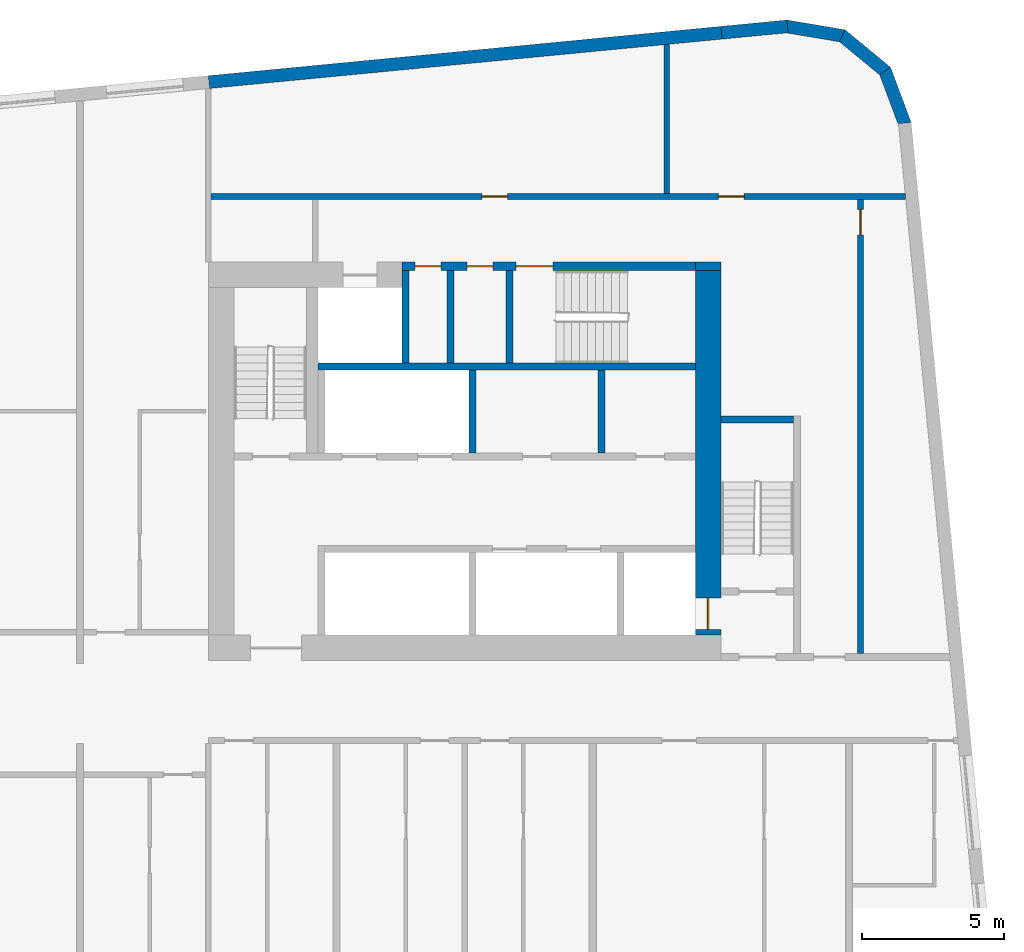
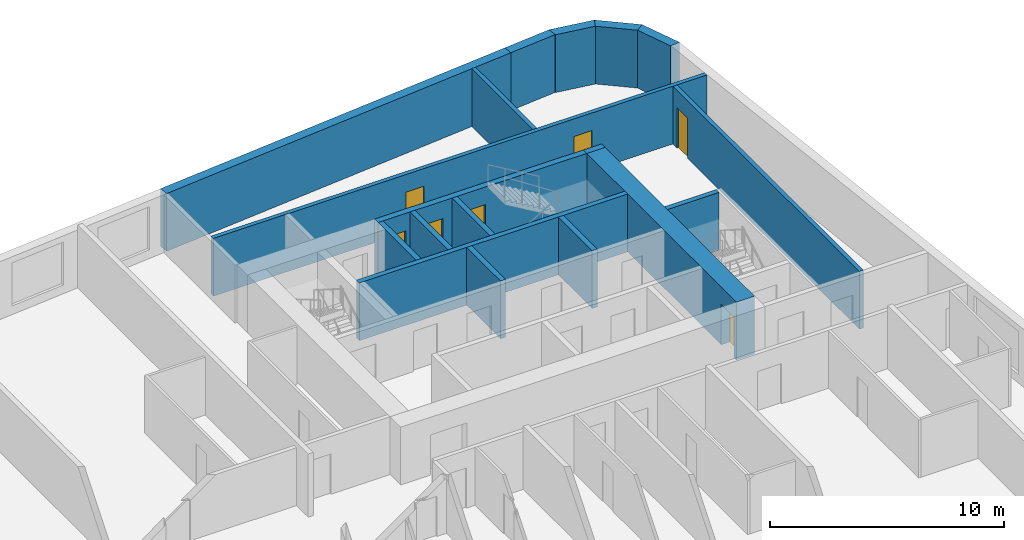
# One storey, part 8 of 12: 18 walls, 7 doors, 7 openings.
"""IFC4 building model written with IfcOpenShell, lengths in metres."""

from ifc_helpers import new_model, si_unit, direction, frame, frame_2d, origin, place, context, subcontext, project, spatial, polyline, rectangle, outline, extrude, material, layer, layer_set, type_object, element, fill, save


model = new_model("IFC4")

# Units and contexts
model_context = context("Model", 3, precision=1e-05, world=origin(), true_north=direction((0.0, 1.0)))
body_context = subcontext(model_context, "Body", "Model", "MODEL_VIEW")
ifc_project = project(units=[si_unit("LENGTHUNIT", "METRE"), si_unit("AREAUNIT", "SQUARE_METRE"), si_unit("VOLUMEUNIT", "CUBIC_METRE"), si_unit("PLANEANGLEUNIT", "RADIAN"), si_unit("MASSUNIT", "GRAM", prefix="KILO")], contexts=[model_context])

# Site, building, storey
site_placement = place(None, origin())
site = spatial("IfcSite", under=ifc_project, at=site_placement, CompositionType="ELEMENT")
building_placement = place(site_placement, origin())
building = spatial("IfcBuilding", under=site, at=building_placement, Name="Kajstack Hotel Tower", CompositionType="ELEMENT")
storey_placement = place(building_placement, frame((0.0, 0.0, 199.89990234375)))
storey = spatial("IfcBuildingStorey", under=building, at=storey_placement, Name="L48", CompositionType="ELEMENT", Elevation=199.89990234375)

# Wall
ifc_material_1 = material(Name="Concrete C60/75", Category="concrete")
ifc_layer_1 = layer(ifc_material_1, 0.89990234375)
ifc_layer_set_1 = layer_set([ifc_layer_1], Name="Core wall 900")
wall_type_1 = type_object("IfcWallType", Name="Core wall 900", PredefinedType="SHEAR", material=ifc_layer_set_1)
wall_1_placement = place(storey_placement, frame((30.60009765625, 15.35009765625, 0.0), z_axis=(0.0, 0.0, 1.0), x_axis=(1.0, 0.0, 0.0)))
element("IfcWall", 1, at=wall_1_placement, inside=storey, type_object=wall_type_1, Name="Core wall E RSW", PredefinedType="SHEAR", context=body_context, shape_type="SweptSolid", body=[
    extrude(rectangle(XDim=0.89990234375, YDim=0.300048828125, at=frame_2d((0.449951171875, 0.0))), origin(), (0.0, 0.0, 1.0), 3.02001953125),
])

# Wall, opening, door
wall_2_placement = place(storey_placement, frame((31.050048828125, 2.39990234375, 0.0), z_axis=(0.0, 0.0, 1.0), x_axis=(0.0, 1.0, 0.0)))
wall_2 = element("IfcWall", 2, at=wall_2_placement, inside=storey, type_object=wall_type_1, Name="Core wall E RW", PredefinedType="SHEAR", context=body_context, shape_type="SweptSolid", body=[
    extrude(rectangle(XDim=12.800048828125, YDim=0.89990234375, at=frame_2d((6.39990234375, 0.0))), origin(), (0.0, 0.0, 1.0), 3.02001953125),
])
opening_1_placement = place(wall_2_placement, frame((0.199951171875, 0.0, 0.0)))
opening_1 = element("IfcOpeningElement", 3, at=opening_1_placement, cuts=wall_2, Name="Opening LD-FF2", PredefinedType="OPENING", context=body_context, shape_type="SweptSolid", body=[
    extrude(rectangle(XDim=1.10009765625, YDim=2.10009765625, at=frame_2d((0.550048828125, 1.050048828125))), frame((0.0, 0.4599609375, 0.0), z_axis=(0.0, -1.0, 0.0), x_axis=(1.0, 0.0, 0.0)), (0.0, 0.0, 1.0), 0.919921875),
])
ifc_material_2 = material(Name="Stainless steel", Category="steel")
door_type_1 = type_object("IfcDoorType", Name="Fire-fighting lift landing door 1100", OperationType="SLIDING_TO_LEFT", PredefinedType="DOOR", material=ifc_material_2)
door_1_placement = place(opening_1_placement, origin())
door_1 = element("IfcDoor", 4, at=door_1_placement, inside=storey, type_object=door_type_1, Name="Landing door FF2", OperationType="SLIDING_TO_LEFT", OverallHeight=2.10009765625, OverallWidth=1.10009765625, PredefinedType="DOOR", context=body_context, shape_type="SweptSolid", body=[
    extrude(rectangle(XDim=1.10009765625, YDim=2.10009765625, at=frame_2d((0.550048828125, 1.050048828125))), frame((0.0, 0.02490234375, 0.0), z_axis=(0.0, -1.0, 0.0), x_axis=(1.0, 0.0, 0.0)), (0.0, 0.0, 1.0), 0.050048828125),
])
fill(opening_1, door_1)

# Walls
ifc_material_3 = material(Name="Concrete C40/50", Category="concrete")
ifc_layer_2 = layer(ifc_material_3, 0.449951171875)
ifc_layer_set_2 = layer_set([ifc_layer_2], Name="EW-CORE")
wall_type_2 = type_object("IfcWallType", Name="EW-CORE", PredefinedType="SOLIDWALL", material=ifc_layer_set_2)
wall_3_placement = place(storey_placement, frame((31.521484375, 23.55078125, 0.0), z_axis=(0.0, 0.0, 1.0), x_axis=(-0.995395166513, -0.095856468129, 0.0)))
element("IfcWall", 5, at=wall_3_placement, inside=storey, type_object=wall_type_2, Name="E-wall-L48-12-01", PredefinedType="SOLIDWALL", context=body_context, shape_type="SweptSolid", body=[
    extrude(rectangle(XDim=18.083251953125, YDim=0.449951171875, at=frame_2d((9.04150390625, 0.0))), origin(), (0.0, 0.0, 1.0), 3.02001953125),
])
ifc_material_4 = material(Name="Terracotta-faced brick masonry", Category="masonry")
ifc_layer_3 = layer(ifc_material_4, 0.449951171875)
ifc_layer_set_3 = layer_set([ifc_layer_3], Name="EW-TERRA")
wall_type_3 = type_object("IfcWallType", Name="EW-TERRA", PredefinedType="SOLIDWALL", material=ifc_layer_set_3)
wall_4_placement = place(storey_placement, frame((37.96875, 20.320556640625, 0.0), z_axis=(0.0, 0.0, 1.0), x_axis=(-0.350192909346, 0.936677599948, 0.0)))
element("IfcWall", 6, at=wall_4_placement, inside=storey, type_object=wall_type_3, Name="E-wall-L48-09-00", PredefinedType="SOLIDWALL", context=body_context, shape_type="SweptSolid", body=[
    extrude(outline(polyline([(0.0, -0.22509765625), (2.070556640625, -0.22509765625), (1.949951171875, 0.22509765625), (0.12060546875, 0.224853515625), (0.0, -0.22509765625)])), origin(), (0.0, 0.0, 1.0), 3.02001953125),
])
wall_5_placement = place(storey_placement, frame((37.311279296875, 22.165283203125, 0.0), z_axis=(0.0, 0.0, 1.0), x_axis=(-0.771651049663, 0.636046112757, 0.0)))
element("IfcWall", 7, at=wall_5_placement, inside=storey, type_object=wall_type_3, Name="E-wall-L48-10-00", PredefinedType="SOLIDWALL", context=body_context, shape_type="SweptSolid", body=[
    extrude(outline(polyline([(0.0, -0.224853515625), (2.0703125, -0.22509765625), (1.94970703125, 0.224853515625), (0.12060546875, 0.22509765625), (0.0, -0.224853515625)])), origin(), (0.0, 0.0, 1.0), 3.02001953125),
])
wall_6_placement = place(storey_placement, frame((35.819580078125, 23.433837890625, 0.0), z_axis=(0.0, 0.0, 1.0), x_axis=(-0.986278951104, 0.165087342366, 0.0)))
element("IfcWall", 8, at=wall_6_placement, inside=storey, type_object=wall_type_3, Name="E-wall-L48-11-00", PredefinedType="SOLIDWALL", context=body_context, shape_type="SweptSolid", body=[
    extrude(outline(polyline([(0.0, -0.22509765625), (2.070556640625, -0.224853515625), (1.949951171875, 0.22509765625), (0.12060546875, 0.224853515625), (0.0, -0.22509765625)])), origin(), (0.0, 0.0, 1.0), 3.02001953125),
])
wall_7_placement = place(storey_placement, frame((33.836181640625, 23.7734375, 0.0), z_axis=(0.0, 0.0, 1.0), x_axis=(-0.995405373555, -0.095750416695, 0.0)))
element("IfcWall", 9, at=wall_7_placement, inside=storey, type_object=wall_type_3, Name="E-wall-L48-12-00", PredefinedType="SOLIDWALL", context=body_context, shape_type="SweptSolid", body=[
    extrude(rectangle(XDim=2.325439453125, YDim=0.449951171875, at=frame_2d((1.16259765625, 0.0))), origin(), (0.0, 0.0, 1.0), 3.02001953125),
])
ifc_material_5 = material(Name="Concrete C50/60", Category="concrete")
ifc_layer_4 = layer(ifc_material_5, 0.300048828125)
ifc_layer_set_4 = layer_set([ifc_layer_4], Name="Hoistway divider wall 300")
wall_type_4 = type_object("IfcWallType", Name="Hoistway divider wall 300", PredefinedType="SHEAR", material=ifc_layer_set_4)
wall_8_placement = place(storey_placement, frame((22.77490234375, 8.800048828125, 0.0), z_axis=(0.0, 0.0, 1.0), x_axis=(0.0, 1.0, 0.0)))
element("IfcWall", 10, at=wall_8_placement, inside=storey, type_object=wall_type_4, Name="Core wall E BP2", PredefinedType="SHEAR", context=body_context, shape_type="SweptSolid", body=[
    extrude(rectangle(XDim=2.89990234375, YDim=0.25, at=frame_2d((1.449951171875, 0.0))), origin(), (0.0, 0.0, 1.0), 3.02001953125),
])
ifc_material_6 = material(Name="Concrete block masonry", Category="masonry")
ifc_layer_5 = layer(ifc_material_6, 0.25)
ifc_layer_set_5 = layer_set([ifc_layer_5], Name="Riser partition 250")
wall_type_5 = type_object("IfcWallType", Name="Riser partition 250", PredefinedType="PARTITIONING", material=ifc_layer_set_5)
wall_9_placement = place(storey_placement, frame((27.300048828125, 8.800048828125, 0.0), z_axis=(0.0, 0.0, 1.0), x_axis=(0.0, 1.0, 0.0)))
element("IfcWall", 11, at=wall_9_placement, inside=storey, type_object=wall_type_5, Name="Partition E BF0", PredefinedType="PARTITIONING", context=body_context, shape_type="SweptSolid", body=[
    extrude(rectangle(XDim=2.89990234375, YDim=0.25, at=frame_2d((1.449951171875, 0.0))), origin(), (0.0, 0.0, 1.0), 3.02001953125),
])
wall_10_placement = place(storey_placement, frame((22.0, 11.949951171875, 0.0), z_axis=(0.0, 0.0, 1.0), x_axis=(0.0, 1.0, 0.0)))
element("IfcWall", 12, at=wall_10_placement, inside=storey, type_object=wall_type_5, Name="Partition E SZ0", PredefinedType="PARTITIONING", context=body_context, shape_type="SweptSolid", body=[
    extrude(rectangle(XDim=3.25, YDim=0.25, at=frame_2d((1.625, 0.0))), origin(), (0.0, 0.0, 1.0), 3.02001953125),
])

# Wall, opening, door
ifc_material_7 = material(Name="Gypsum board on steel studs, mineral wool", Category="steel")
ifc_layer_6 = layer(ifc_material_7, 0.199951171875)
ifc_layer_set_6 = layer_set([ifc_layer_6], Name="Service partition 200")
wall_type_6 = type_object("IfcWallType", Name="Service partition 200", PredefinedType="PARTITIONING", material=ifc_layer_set_6)
wall_11_placement = place(storey_placement, frame((36.39990234375, 1.75, 0.0), z_axis=(0.0, 0.0, 1.0), x_axis=(0.0, 1.0, 0.0)))
wall_11 = element("IfcWall", 13, at=wall_11_placement, inside=storey, type_object=wall_type_6, Name="Partition E WRE", PredefinedType="PARTITIONING", context=body_context, shape_type="SweptSolid", body=[
    extrude(rectangle(XDim=15.949951171875, YDim=0.199951171875, at=frame_2d((7.97509765625, 0.0))), origin(), (0.0, 0.0, 1.0), 3.02001953125),
])
opening_2_placement = place(wall_11_placement, frame((14.699951171875, 0.0, 0.0)))
opening_2 = element("IfcOpeningElement", 14, at=opening_2_placement, cuts=wall_11, Name="Opening 48E19", PredefinedType="OPENING", context=body_context, shape_type="SweptSolid", body=[
    extrude(rectangle(XDim=0.89990234375, YDim=2.10009765625, at=frame_2d((0.449951171875, 1.050048828125))), frame((0.0, 0.10986328125, 0.0), z_axis=(0.0, -1.0, 0.0), x_axis=(1.0, 0.0, 0.0)), (0.0, 0.0, 1.0), 0.219970703125),
])
ifc_material_8 = material(Name="Timber leaf, fire-rated", Category="wood")
door_type_2 = type_object("IfcDoorType", Name="Service door 900", OperationType="SINGLE_SWING_LEFT", PredefinedType="DOOR", material=ifc_material_8)
door_2_placement = place(opening_2_placement, origin())
door_2 = element("IfcDoor", 15, at=door_2_placement, inside=storey, type_object=door_type_2, Name="Door 48E19", OperationType="SINGLE_SWING_RIGHT", OverallHeight=2.10009765625, OverallWidth=0.89990234375, PredefinedType="DOOR", context=body_context, shape_type="SweptSolid", body=[
    extrude(rectangle(XDim=0.89990234375, YDim=2.10009765625, at=frame_2d((0.449951171875, 1.050048828125))), frame((0.0, 0.02490234375, 0.0), z_axis=(0.0, -1.0, 0.0), x_axis=(1.0, 0.0, 0.0)), (0.0, 0.0, 1.0), 0.050048828125),
])
fill(opening_2, door_2)

# Wall, openings, doors
wall_12_placement = place(storey_placement, frame((13.60009765625, 17.800048828125, 0.0), z_axis=(0.0, 0.0, 1.0), x_axis=(1.0, 0.0, 0.0)))
wall_12 = element("IfcWall", 16, at=wall_12_placement, inside=storey, type_object=wall_type_6, Name="Partition E SLN", PredefinedType="PARTITIONING", context=body_context, shape_type="SweptSolid", body=[
    extrude(rectangle(XDim=24.377685546875, YDim=0.199951171875, at=frame_2d((12.18896484375, 0.0))), origin(), (0.0, 0.0, 1.0), 3.02001953125),
])
opening_3_placement = place(wall_12_placement, frame((17.8125, 0.0, 0.0)))
opening_3 = element("IfcOpeningElement", 17, at=opening_3_placement, cuts=wall_12, Name="Opening 48E17", PredefinedType="OPENING", context=body_context, shape_type="SweptSolid", body=[
    extrude(rectangle(XDim=0.89990234375, YDim=2.10009765625, at=frame_2d((0.449951171875, 1.050048828125))), frame((0.0, 0.10986328125, 0.0), z_axis=(0.0, -1.0, 0.0), x_axis=(1.0, 0.0, 0.0)), (0.0, 0.0, 1.0), 0.219970703125),
])
opening_4_placement = place(wall_12_placement, frame((9.512451171875, 0.0, 0.0)))
opening_4 = element("IfcOpeningElement", 18, at=opening_4_placement, cuts=wall_12, Name="Opening 48E18", PredefinedType="OPENING", context=body_context, shape_type="SweptSolid", body=[
    extrude(rectangle(XDim=0.89990234375, YDim=2.10009765625, at=frame_2d((0.449951171875, 1.050048828125))), frame((0.0, 0.10986328125, 0.0), z_axis=(0.0, -1.0, 0.0), x_axis=(1.0, 0.0, 0.0)), (0.0, 0.0, 1.0), 0.219970703125),
])
door_3_placement = place(opening_3_placement, origin())
door_3 = element("IfcDoor", 19, at=door_3_placement, inside=storey, type_object=door_type_2, Name="Door 48E17", OperationType="SINGLE_SWING_LEFT", OverallHeight=2.10009765625, OverallWidth=0.89990234375, PredefinedType="DOOR", context=body_context, shape_type="SweptSolid", body=[
    extrude(rectangle(XDim=0.89990234375, YDim=2.10009765625, at=frame_2d((0.449951171875, 1.050048828125))), frame((0.0, 0.02490234375, 0.0), z_axis=(0.0, -1.0, 0.0), x_axis=(1.0, 0.0, 0.0)), (0.0, 0.0, 1.0), 0.050048828125),
])
fill(opening_3, door_3)
door_4_placement = place(opening_4_placement, origin())
door_4 = element("IfcDoor", 20, at=door_4_placement, inside=storey, type_object=door_type_2, Name="Door 48E18", OperationType="SINGLE_SWING_LEFT", OverallHeight=2.10009765625, OverallWidth=0.89990234375, PredefinedType="DOOR", context=body_context, shape_type="SweptSolid", body=[
    extrude(rectangle(XDim=0.89990234375, YDim=2.10009765625, at=frame_2d((0.449951171875, 1.050048828125))), frame((0.0, 0.02490234375, 0.0), z_axis=(0.0, -1.0, 0.0), x_axis=(1.0, 0.0, 0.0)), (0.0, 0.0, 1.0), 0.050048828125),
])
fill(opening_4, door_4)

# Wall
wall_13_placement = place(storey_placement, frame((29.60009765625, 17.89990234375, 0.0), z_axis=(0.0, 0.0, 1.0), x_axis=(0.0, 1.0, 0.0)))
element("IfcWall", 21, at=wall_13_placement, inside=storey, type_object=wall_type_6, Name="Partition E SLP0", PredefinedType="PARTITIONING", context=body_context, shape_type="SweptSolid", body=[
    extrude(rectangle(XDim=5.24072265625, YDim=0.199951171875, at=frame_2d((2.620361328125, 0.0))), origin(), (0.0, 0.0, 1.0), 3.02001953125),
])

# Wall, openings, doors
ifc_layer_7 = layer(ifc_material_5, 0.25)
ifc_layer_set_7 = layer_set([ifc_layer_7], Name="Shaft wall 250")
wall_type_7 = type_object("IfcWallType", Name="Shaft wall 250", PredefinedType="SHEAR", material=ifc_layer_set_7)
wall_14_placement = place(storey_placement, frame((20.300048828125, 15.35009765625, 0.0), z_axis=(0.0, 0.0, 1.0), x_axis=(1.0, 0.0, 0.0)))
wall_14 = element("IfcWall", 22, at=wall_14_placement, inside=storey, type_object=wall_type_7, Name="Core wall E RSS", PredefinedType="SHEAR", context=body_context, shape_type="SweptSolid", body=[
    extrude(rectangle(XDim=10.300048828125, YDim=0.300048828125, at=frame_2d((5.14990234375, 0.0))), origin(), (0.0, 0.0, 1.0), 3.02001953125),
])
opening_5_placement = place(wall_14_placement, frame((4.0, 0.0, 0.0)))
opening_5 = element("IfcOpeningElement", 23, at=opening_5_placement, cuts=wall_14, Name="Opening 48E12", PredefinedType="OPENING", context=body_context, shape_type="SweptSolid", body=[
    extrude(rectangle(XDim=1.300048828125, YDim=2.10009765625, at=frame_2d((0.64990234375, 1.050048828125))), frame((0.0, 0.159912109375, 0.0), z_axis=(0.0, -1.0, 0.0), x_axis=(1.0, 0.0, 0.0)), (0.0, 0.0, 1.0), 0.320068359375),
])
opening_6_placement = place(wall_14_placement, frame((2.28759765625, 0.0, 0.0)))
opening_6 = element("IfcOpeningElement", 24, at=opening_6_placement, cuts=wall_14, Name="Opening 48E13", PredefinedType="OPENING", context=body_context, shape_type="SweptSolid", body=[
    extrude(rectangle(XDim=0.89990234375, YDim=2.10009765625, at=frame_2d((0.449951171875, 1.050048828125))), frame((0.0, 0.159912109375, 0.0), z_axis=(0.0, -1.0, 0.0), x_axis=(1.0, 0.0, 0.0)), (0.0, 0.0, 1.0), 0.320068359375),
])
opening_7_placement = place(wall_14_placement, frame((0.46240234375, 0.0, 0.0)))
opening_7 = element("IfcOpeningElement", 25, at=opening_7_placement, cuts=wall_14, Name="Opening 48E14", PredefinedType="OPENING", context=body_context, shape_type="SweptSolid", body=[
    extrude(rectangle(XDim=0.89990234375, YDim=2.10009765625, at=frame_2d((0.449951171875, 1.050048828125))), frame((0.0, 0.159912109375, 0.0), z_axis=(0.0, -1.0, 0.0), x_axis=(1.0, 0.0, 0.0)), (0.0, 0.0, 1.0), 0.320068359375),
])
door_5_placement = place(opening_6_placement, origin())
door_5 = element("IfcDoor", 26, at=door_5_placement, inside=storey, type_object=door_type_2, Name="Door 48E13", OperationType="SINGLE_SWING_RIGHT", OverallHeight=2.10009765625, OverallWidth=0.89990234375, PredefinedType="DOOR", context=body_context, shape_type="SweptSolid", body=[
    extrude(rectangle(XDim=0.89990234375, YDim=2.10009765625, at=frame_2d((0.449951171875, 1.050048828125))), frame((0.0, 0.02490234375, 0.0), z_axis=(0.0, -1.0, 0.0), x_axis=(1.0, 0.0, 0.0)), (0.0, 0.0, 1.0), 0.050048828125),
])
fill(opening_6, door_5)
door_6_placement = place(opening_7_placement, origin())
door_6 = element("IfcDoor", 27, at=door_6_placement, inside=storey, type_object=door_type_2, Name="Door 48E14", OperationType="SINGLE_SWING_RIGHT", OverallHeight=2.10009765625, OverallWidth=0.89990234375, PredefinedType="DOOR", context=body_context, shape_type="SweptSolid", body=[
    extrude(rectangle(XDim=0.89990234375, YDim=2.10009765625, at=frame_2d((0.449951171875, 1.050048828125))), frame((0.0, 0.02490234375, 0.0), z_axis=(0.0, -1.0, 0.0), x_axis=(1.0, 0.0, 0.0)), (0.0, 0.0, 1.0), 0.050048828125),
])
fill(opening_7, door_6)
ifc_material_9 = material(Name="Steel leaf, fire-rated", Category="steel")
door_type_3 = type_object("IfcDoorType", Name="Stair door 1300", OperationType="SINGLE_SWING_LEFT", PredefinedType="DOOR", material=ifc_material_9)
door_7_placement = place(opening_5_placement, origin())
door_7 = element("IfcDoor", 28, at=door_7_placement, inside=storey, type_object=door_type_3, Name="Door 48E12", OperationType="SINGLE_SWING_LEFT", OverallHeight=2.10009765625, OverallWidth=1.300048828125, PredefinedType="DOOR", context=body_context, shape_type="SweptSolid", body=[
    extrude(rectangle(XDim=1.300048828125, YDim=2.10009765625, at=frame_2d((0.64990234375, 1.050048828125))), frame((0.0, 0.02490234375, 0.0), z_axis=(0.0, -1.0, 0.0), x_axis=(1.0, 0.0, 0.0)), (0.0, 0.0, 1.0), 0.050048828125),
])
fill(opening_5, door_7)

# Walls
wall_15_placement = place(storey_placement, frame((17.35009765625, 11.824951171875, 0.0), z_axis=(0.0, 0.0, 1.0), x_axis=(1.0, 0.0, 0.0)))
element("IfcWall", 29, at=wall_15_placement, inside=storey, type_object=wall_type_7, Name="Core wall E RB", PredefinedType="SHEAR", context=body_context, shape_type="SweptSolid", body=[
    extrude(rectangle(XDim=13.25, YDim=0.25, at=frame_2d((6.625, 0.0))), origin(), (0.0, 0.0, 1.0), 3.02001953125),
])
wall_16_placement = place(storey_placement, frame((20.425048828125, 11.949951171875, 0.0), z_axis=(0.0, 0.0, 1.0), x_axis=(0.0, 1.0, 0.0)))
element("IfcWall", 30, at=wall_16_placement, inside=storey, type_object=wall_type_7, Name="Core wall E SVW", PredefinedType="SHEAR", context=body_context, shape_type="SweptSolid", body=[
    extrude(rectangle(XDim=3.25, YDim=0.25, at=frame_2d((1.625, 0.0))), origin(), (0.0, 0.0, 1.0), 3.02001953125),
])
ifc_layer_8 = layer(ifc_material_3, 0.25)
ifc_layer_set_8 = layer_set([ifc_layer_8], Name="Stair enclosure wall 250")
wall_type_8 = type_object("IfcWallType", Name="Stair enclosure wall 250", PredefinedType="SHEAR", material=ifc_layer_set_8)
wall_17_placement = place(storey_placement, frame((31.5, 9.97509765625, 0.0), z_axis=(0.0, 0.0, 1.0), x_axis=(1.0, 0.0, 0.0)))
element("IfcWall", 31, at=wall_17_placement, inside=storey, type_object=wall_type_8, Name="Core wall E W1S", PredefinedType="SHEAR", context=body_context, shape_type="SweptSolid", body=[
    extrude(rectangle(XDim=2.550048828125, YDim=0.25, at=frame_2d((1.27490234375, 0.0))), origin(), (0.0, 0.0, 1.0), 3.02001953125),
])
ifc_layer_9 = layer(ifc_material_5, 0.35009765625)
ifc_layer_set_9 = layer_set([ifc_layer_9], Name="Stair enclosure wall 350")
wall_type_9 = type_object("IfcWallType", Name="Stair enclosure wall 350", PredefinedType="SHEAR", material=ifc_layer_set_9)
wall_18_placement = place(storey_placement, frame((24.074951171875, 11.949951171875, 0.0), z_axis=(0.0, 0.0, 1.0), x_axis=(0.0, 1.0, 0.0)))
element("IfcWall", 32, at=wall_18_placement, inside=storey, type_object=wall_type_9, Name="Core wall E W3E", PredefinedType="SHEAR", context=body_context, shape_type="SweptSolid", body=[
    extrude(rectangle(XDim=3.25, YDim=0.25, at=frame_2d((1.625, 0.0))), origin(), (0.0, 0.0, 1.0), 3.02001953125),
])

save(model, "model.ifc")
